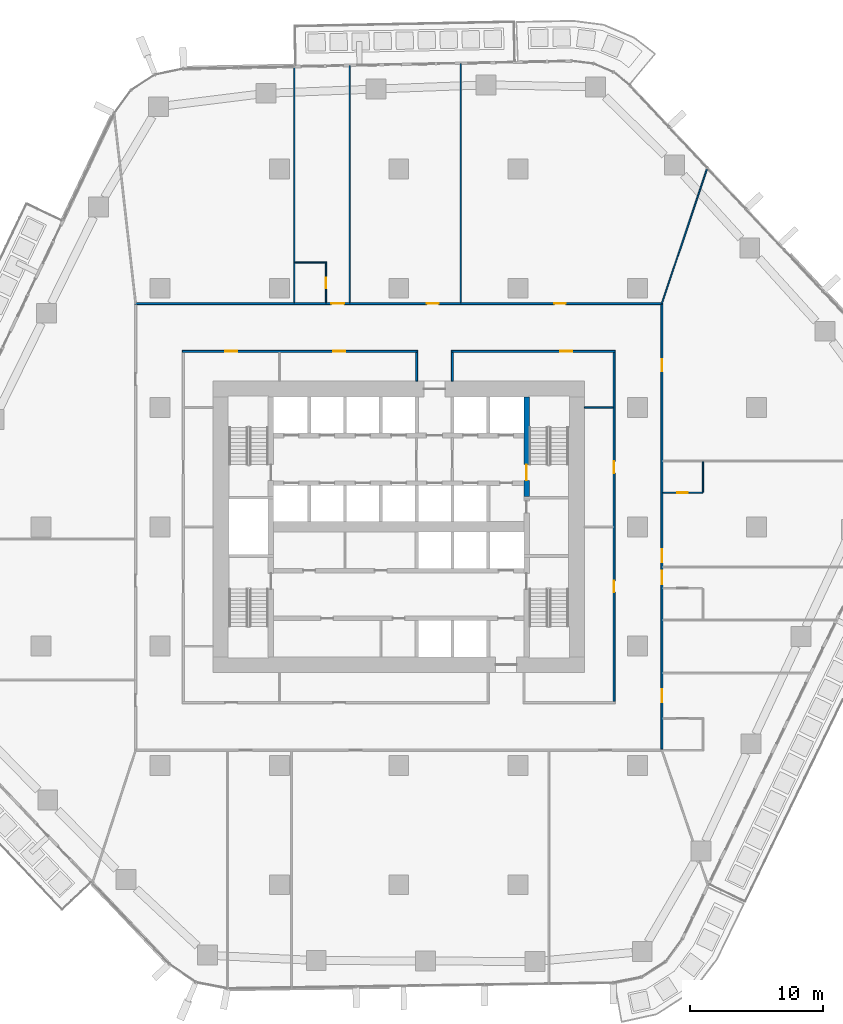
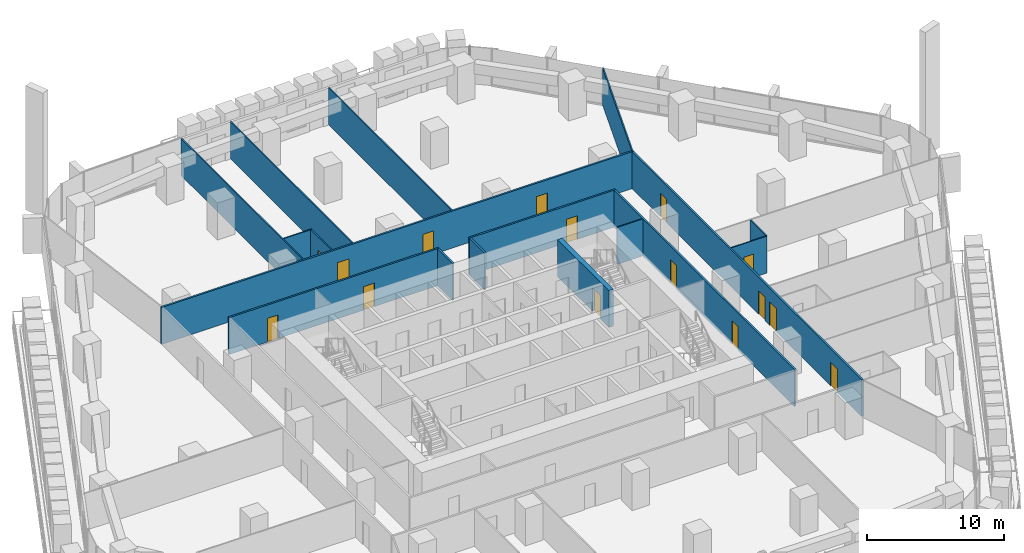
# One storey, part 15 of 24: 17 walls, 15 doors, 15 openings.
"""IFC4 building model written with IfcOpenShell, lengths in metres."""

from ifc_helpers import new_model, si_unit, direction, frame, frame_2d, origin, place, context, subcontext, project, spatial, rectangle, extrude, material, layer, layer_set, type_object, element, fill, save


model = new_model("IFC4")

# Units and contexts
model_context = context("Model", 3, precision=1e-05, world=origin(), true_north=direction((0.0, 1.0)))
body_context = subcontext(model_context, "Body", "Model", "MODEL_VIEW")
ifc_project = project(units=[si_unit("LENGTHUNIT", "METRE"), si_unit("AREAUNIT", "SQUARE_METRE"), si_unit("VOLUMEUNIT", "CUBIC_METRE"), si_unit("PLANEANGLEUNIT", "RADIAN"), si_unit("MASSUNIT", "GRAM", prefix="KILO")], contexts=[model_context])

# Site, building, storey
site_placement = place(None, origin())
site = spatial("IfcSite", under=ifc_project, at=site_placement, CompositionType="ELEMENT")
building_placement = place(site_placement, origin())
building = spatial("IfcBuilding", under=site, at=building_placement, Name="Dongbaek Canopy Tower", CompositionType="ELEMENT")
storey_placement = place(building_placement, frame((0.0, 0.0, 44.0)))
storey = spatial("IfcBuildingStorey", under=building, at=storey_placement, Name="L06", CompositionType="ELEMENT", Elevation=44.0)

# Wall, openings, doors
ifc_material_1 = material(Name="Gypsum board partition, steel stud, 2 x 15 mm fire board", Category="steel")
ifc_layer_1 = layer(ifc_material_1, 0.14990234375)
ifc_layer_set_1 = layer_set([ifc_layer_1], Name="Fire-rated partition 150 gypsum board")
wall_type_1 = type_object("IfcWallType", Name="Fire-rated partition 150 gypsum board", PredefinedType="PARTITIONING", material=ifc_layer_set_1)
wall_1_placement = place(storey_placement, frame((1.425048828125, 13.25, 0.0), z_axis=(0.0, 0.0, 1.0), x_axis=(-1.0, 0.0, 0.0)))
wall_1 = element("IfcWall", 1, at=wall_1_placement, inside=storey, type_object=wall_type_1, Name="Corridor partition", PredefinedType="PARTITIONING", context=body_context, shape_type="SweptSolid", body=[
    extrude(rectangle(XDim=17.75, YDim=0.14990234375, at=frame_2d((8.875, 0.0))), origin(), (0.0, 0.0, 1.0), 3.300048828125),
])
opening_1_placement = place(wall_1_placement, frame((5.47509765625, 0.0, 0.0)))
opening_1 = element("IfcOpeningElement", 2, at=opening_1_placement, cuts=wall_1, Name="Opening L06-D024", PredefinedType="OPENING", context=body_context, shape_type="SweptSolid", body=[
    extrude(rectangle(XDim=0.89990234375, YDim=2.10009765625, at=frame_2d((0.449951171875, 1.050048828125))), frame((0.0, 0.0849609375, 0.0), z_axis=(0.0, -1.0, 0.0), x_axis=(1.0, 0.0, 0.0)), (0.0, 0.0, 1.0), 0.169921875),
])
opening_2_placement = place(wall_1_placement, frame((13.60009765625, 0.0, 0.0)))
opening_2 = element("IfcOpeningElement", 3, at=opening_2_placement, cuts=wall_1, Name="Opening L06-D025", PredefinedType="OPENING", context=body_context, shape_type="SweptSolid", body=[
    extrude(rectangle(XDim=0.89990234375, YDim=2.10009765625, at=frame_2d((0.449951171875, 1.050048828125))), frame((0.0, 0.0849609375, 0.0), z_axis=(0.0, -1.0, 0.0), x_axis=(1.0, 0.0, 0.0)), (0.0, 0.0, 1.0), 0.169921875),
])
ifc_material_2 = material(Name="Timber veneered door leaf", Category="wood")
door_type_1 = type_object("IfcDoorType", Name="Room door 900 x 2100", OperationType="SINGLE_SWING_LEFT", PredefinedType="DOOR", material=ifc_material_2)
door_1_placement = place(opening_1_placement, origin())
door_1 = element("IfcDoor", 4, at=door_1_placement, inside=storey, type_object=door_type_1, Name="Door L06-D024", OperationType="SINGLE_SWING_RIGHT", OverallHeight=2.10009765625, OverallWidth=0.89990234375, PredefinedType="DOOR", context=body_context, shape_type="SweptSolid", body=[
    extrude(rectangle(XDim=0.89990234375, YDim=2.10009765625, at=frame_2d((0.449951171875, 1.050048828125))), frame((0.0, 0.02490234375, 0.0), z_axis=(0.0, -1.0, 0.0), x_axis=(1.0, 0.0, 0.0)), (0.0, 0.0, 1.0), 0.050048828125),
])
fill(opening_1, door_1)
door_2_placement = place(opening_2_placement, origin())
door_2 = element("IfcDoor", 5, at=door_2_placement, inside=storey, type_object=door_type_1, Name="Door L06-D025", OperationType="SINGLE_SWING_LEFT", OverallHeight=2.10009765625, OverallWidth=0.89990234375, PredefinedType="DOOR", context=body_context, shape_type="SweptSolid", body=[
    extrude(rectangle(XDim=0.89990234375, YDim=2.10009765625, at=frame_2d((0.449951171875, 1.050048828125))), frame((0.0, 0.02490234375, 0.0), z_axis=(0.0, -1.0, 0.0), x_axis=(1.0, 0.0, 0.0)), (0.0, 0.0, 1.0), 0.050048828125),
])
fill(opening_2, door_2)

# Wall, opening, door
wall_2_placement = place(storey_placement, frame((16.324951171875, 13.25, 0.0), z_axis=(0.0, 0.0, 1.0), x_axis=(-1.0, 0.0, 0.0)))
wall_2 = element("IfcWall", 6, at=wall_2_placement, inside=storey, type_object=wall_type_1, Name="Corridor partition", PredefinedType="PARTITIONING", context=body_context, shape_type="SweptSolid", body=[
    extrude(rectangle(XDim=12.349853515625, YDim=0.14990234375, at=frame_2d((6.1748046875, 0.0))), origin(), (0.0, 0.0, 1.0), 3.300048828125),
])
opening_3_placement = place(wall_2_placement, frame((3.25, 0.0, 0.0)))
opening_3 = element("IfcOpeningElement", 7, at=opening_3_placement, cuts=wall_2, Name="Opening L06-D023", PredefinedType="OPENING", context=body_context, shape_type="SweptSolid", body=[
    extrude(rectangle(XDim=0.89990234375, YDim=2.10009765625, at=frame_2d((0.449951171875, 1.050048828125))), frame((0.0, 0.0849609375, 0.0), z_axis=(0.0, -1.0, 0.0), x_axis=(1.0, 0.0, 0.0)), (0.0, 0.0, 1.0), 0.169921875),
])
door_3_placement = place(opening_3_placement, origin())
door_3 = element("IfcDoor", 8, at=door_3_placement, inside=storey, type_object=door_type_1, Name="Door L06-D023", OperationType="SINGLE_SWING_LEFT", OverallHeight=2.10009765625, OverallWidth=0.89990234375, PredefinedType="DOOR", context=body_context, shape_type="SweptSolid", body=[
    extrude(rectangle(XDim=0.89990234375, YDim=2.10009765625, at=frame_2d((0.449951171875, 1.050048828125))), frame((0.0, 0.02490234375, 0.0), z_axis=(0.0, -1.0, 0.0), x_axis=(1.0, 0.0, 0.0)), (0.0, 0.0, 1.0), 0.050048828125),
])
fill(opening_3, door_3)

# Wall, openings, doors
wall_3_placement = place(storey_placement, frame((-19.925048828125, 16.85009765625, 0.0), z_axis=(0.0, 0.0, 1.0), x_axis=(1.0, 0.0, 0.0)))
wall_3 = element("IfcWall", 9, at=wall_3_placement, inside=storey, type_object=wall_type_1, Name="Corridor partition", PredefinedType="PARTITIONING", context=body_context, shape_type="SweptSolid", body=[
    extrude(rectangle(XDim=39.85009765625, YDim=0.14990234375, at=frame_2d((19.925048828125, 0.0))), origin(), (0.0, 0.0, 1.0), 3.300048828125),
])
opening_4_placement = place(wall_3_placement, frame((31.642822265625, 0.0, 0.0)))
opening_4 = element("IfcOpeningElement", 10, at=opening_4_placement, cuts=wall_3, Name="Opening L06-D013", PredefinedType="OPENING", context=body_context, shape_type="SweptSolid", body=[
    extrude(rectangle(XDim=0.89990234375, YDim=2.10009765625, at=frame_2d((0.449951171875, 1.050048828125))), frame((0.0, 0.0849609375, 0.0), z_axis=(0.0, -1.0, 0.0), x_axis=(1.0, 0.0, 0.0)), (0.0, 0.0, 1.0), 0.169921875),
])
opening_5_placement = place(wall_3_placement, frame((22.0556640625, 0.0, 0.0)))
opening_5 = element("IfcOpeningElement", 11, at=opening_5_placement, cuts=wall_3, Name="Opening L06-D014", PredefinedType="OPENING", context=body_context, shape_type="SweptSolid", body=[
    extrude(rectangle(XDim=0.89990234375, YDim=2.10009765625, at=frame_2d((0.449951171875, 1.050048828125))), frame((0.0, 0.0849609375, 0.0), z_axis=(0.0, -1.0, 0.0), x_axis=(1.0, 0.0, 0.0)), (0.0, 0.0, 1.0), 0.169921875),
])
opening_6_placement = place(wall_3_placement, frame((14.8310546875, 0.0, 0.0)))
opening_6 = element("IfcOpeningElement", 12, at=opening_6_placement, cuts=wall_3, Name="Opening L06-D016", PredefinedType="OPENING", context=body_context, shape_type="SweptSolid", body=[
    extrude(rectangle(XDim=1.0, YDim=2.10009765625, at=frame_2d((0.5, 1.050048828125))), frame((0.0, 0.0849609375, 0.0), z_axis=(0.0, -1.0, 0.0), x_axis=(1.0, 0.0, 0.0)), (0.0, 0.0, 1.0), 0.169921875),
])
ifc_material_3 = material(Name="Timber veneered door leaf", Category="wood")
door_type_2 = type_object("IfcDoorType", Name="Guest room door 1000 x 2100", OperationType="SINGLE_SWING_LEFT", PredefinedType="DOOR", material=ifc_material_3)
door_4_placement = place(opening_6_placement, origin())
door_4 = element("IfcDoor", 13, at=door_4_placement, inside=storey, type_object=door_type_2, Name="Door L06-D016", OperationType="SINGLE_SWING_LEFT", OverallHeight=2.10009765625, OverallWidth=1.0, PredefinedType="DOOR", context=body_context, shape_type="SweptSolid", body=[
    extrude(rectangle(XDim=1.0, YDim=2.10009765625, at=frame_2d((0.5, 1.050048828125))), frame((0.0, 0.02490234375, 0.0), z_axis=(0.0, -1.0, 0.0), x_axis=(1.0, 0.0, 0.0)), (0.0, 0.0, 1.0), 0.050048828125),
])
fill(opening_6, door_4)
door_5_placement = place(opening_4_placement, origin())
door_5 = element("IfcDoor", 14, at=door_5_placement, inside=storey, type_object=door_type_1, Name="Door L06-D013", OperationType="SINGLE_SWING_LEFT", OverallHeight=2.10009765625, OverallWidth=0.89990234375, PredefinedType="DOOR", context=body_context, shape_type="SweptSolid", body=[
    extrude(rectangle(XDim=0.89990234375, YDim=2.10009765625, at=frame_2d((0.449951171875, 1.050048828125))), frame((0.0, 0.02490234375, 0.0), z_axis=(0.0, -1.0, 0.0), x_axis=(1.0, 0.0, 0.0)), (0.0, 0.0, 1.0), 0.050048828125),
])
fill(opening_4, door_5)
door_6_placement = place(opening_5_placement, origin())
door_6 = element("IfcDoor", 15, at=door_6_placement, inside=storey, type_object=door_type_1, Name="Door L06-D014", OperationType="SINGLE_SWING_RIGHT", OverallHeight=2.10009765625, OverallWidth=0.89990234375, PredefinedType="DOOR", context=body_context, shape_type="SweptSolid", body=[
    extrude(rectangle(XDim=0.89990234375, YDim=2.10009765625, at=frame_2d((0.449951171875, 1.050048828125))), frame((0.0, 0.02490234375, 0.0), z_axis=(0.0, -1.0, 0.0), x_axis=(1.0, 0.0, 0.0)), (0.0, 0.0, 1.0), 0.050048828125),
])
fill(opening_5, door_6)

wall_4_placement = place(storey_placement, frame((19.85009765625, 16.77490234375, 0.0), z_axis=(0.0, 0.0, 1.0), x_axis=(0.0, -1.0, 0.0)))
wall_4 = element("IfcWall", 16, at=wall_4_placement, inside=storey, type_object=wall_type_1, Name="Corridor partition", PredefinedType="PARTITIONING", context=body_context, shape_type="SweptSolid", body=[
    extrude(rectangle(XDim=33.5498046875, YDim=0.14990234375, at=frame_2d((16.77490234375, 0.0))), origin(), (0.0, 0.0, 1.0), 3.300048828125),
])
opening_7_placement = place(wall_4_placement, frame((29.01611328125, 0.0, 0.0)))
opening_7 = element("IfcOpeningElement", 17, at=opening_7_placement, cuts=wall_4, Name="Opening L06-D007", PredefinedType="OPENING", context=body_context, shape_type="SweptSolid", body=[
    extrude(rectangle(XDim=1.0, YDim=2.10009765625, at=frame_2d((0.5, 1.050048828125))), frame((0.0, 0.0849609375, 0.0), z_axis=(0.0, -1.0, 0.0), x_axis=(1.0, 0.0, 0.0)), (0.0, 0.0, 1.0), 0.169921875),
])
opening_8_placement = place(wall_4_placement, frame((20.100341796875, 0.0, 0.0)))
opening_8 = element("IfcOpeningElement", 18, at=opening_8_placement, cuts=wall_4, Name="Opening L06-D009", PredefinedType="OPENING", context=body_context, shape_type="SweptSolid", body=[
    extrude(rectangle(XDim=1.0, YDim=2.10009765625, at=frame_2d((0.5, 1.050048828125))), frame((0.0, 0.0849609375, 0.0), z_axis=(0.0, -1.0, 0.0), x_axis=(1.0, 0.0, 0.0)), (0.0, 0.0, 1.0), 0.169921875),
])
opening_9_placement = place(wall_4_placement, frame((18.445556640625, 0.0, 0.0)))
opening_9 = element("IfcOpeningElement", 19, at=opening_9_placement, cuts=wall_4, Name="Opening L06-D011", PredefinedType="OPENING", context=body_context, shape_type="SweptSolid", body=[
    extrude(rectangle(XDim=1.0, YDim=2.10009765625, at=frame_2d((0.5, 1.050048828125))), frame((0.0, 0.0849609375, 0.0), z_axis=(0.0, -1.0, 0.0), x_axis=(1.0, 0.0, 0.0)), (0.0, 0.0, 1.0), 0.169921875),
])
opening_10_placement = place(wall_4_placement, frame((4.142822265625, 0.0, 0.0)))
opening_10 = element("IfcOpeningElement", 20, at=opening_10_placement, cuts=wall_4, Name="Opening L06-D012", PredefinedType="OPENING", context=body_context, shape_type="SweptSolid", body=[
    extrude(rectangle(XDim=0.89990234375, YDim=2.10009765625, at=frame_2d((0.449951171875, 1.050048828125))), frame((0.0, 0.0849609375, 0.0), z_axis=(0.0, -1.0, 0.0), x_axis=(1.0, 0.0, 0.0)), (0.0, 0.0, 1.0), 0.169921875),
])
door_7_placement = place(opening_7_placement, origin())
door_7 = element("IfcDoor", 21, at=door_7_placement, inside=storey, type_object=door_type_2, Name="Door L06-D007", OperationType="SINGLE_SWING_RIGHT", OverallHeight=2.10009765625, OverallWidth=1.0, PredefinedType="DOOR", context=body_context, shape_type="SweptSolid", body=[
    extrude(rectangle(XDim=1.0, YDim=2.10009765625, at=frame_2d((0.5, 1.050048828125))), frame((0.0, 0.02490234375, 0.0), z_axis=(0.0, -1.0, 0.0), x_axis=(1.0, 0.0, 0.0)), (0.0, 0.0, 1.0), 0.050048828125),
])
fill(opening_7, door_7)
door_8_placement = place(opening_8_placement, origin())
door_8 = element("IfcDoor", 22, at=door_8_placement, inside=storey, type_object=door_type_2, Name="Door L06-D009", OperationType="SINGLE_SWING_RIGHT", OverallHeight=2.10009765625, OverallWidth=1.0, PredefinedType="DOOR", context=body_context, shape_type="SweptSolid", body=[
    extrude(rectangle(XDim=1.0, YDim=2.10009765625, at=frame_2d((0.5, 1.050048828125))), frame((0.0, 0.02490234375, 0.0), z_axis=(0.0, -1.0, 0.0), x_axis=(1.0, 0.0, 0.0)), (0.0, 0.0, 1.0), 0.050048828125),
])
fill(opening_8, door_8)
door_9_placement = place(opening_9_placement, origin())
door_9 = element("IfcDoor", 23, at=door_9_placement, inside=storey, type_object=door_type_2, Name="Door L06-D011", OperationType="SINGLE_SWING_LEFT", OverallHeight=2.10009765625, OverallWidth=1.0, PredefinedType="DOOR", context=body_context, shape_type="SweptSolid", body=[
    extrude(rectangle(XDim=1.0, YDim=2.10009765625, at=frame_2d((0.5, 1.050048828125))), frame((0.0, 0.02490234375, 0.0), z_axis=(0.0, -1.0, 0.0), x_axis=(1.0, 0.0, 0.0)), (0.0, 0.0, 1.0), 0.050048828125),
])
fill(opening_9, door_9)
door_10_placement = place(opening_10_placement, origin())
door_10 = element("IfcDoor", 24, at=door_10_placement, inside=storey, type_object=door_type_1, Name="Door L06-D012", OperationType="SINGLE_SWING_RIGHT", OverallHeight=2.10009765625, OverallWidth=0.89990234375, PredefinedType="DOOR", context=body_context, shape_type="SweptSolid", body=[
    extrude(rectangle(XDim=0.89990234375, YDim=2.10009765625, at=frame_2d((0.449951171875, 1.050048828125))), frame((0.0, 0.02490234375, 0.0), z_axis=(0.0, -1.0, 0.0), x_axis=(1.0, 0.0, 0.0)), (0.0, 0.0, 1.0), 0.050048828125),
])
fill(opening_10, door_10)

wall_5_placement = place(storey_placement, frame((16.25, -13.175048828125, 0.0), z_axis=(0.0, 0.0, 1.0), x_axis=(0.0, 1.0, 0.0)))
wall_5 = element("IfcWall", 25, at=wall_5_placement, inside=storey, type_object=wall_type_1, Name="Corridor partition", PredefinedType="PARTITIONING", context=body_context, shape_type="SweptSolid", body=[
    extrude(rectangle(XDim=26.35009765625, YDim=0.14990234375, at=frame_2d((13.175048828125, 0.0))), origin(), (0.0, 0.0, 1.0), 3.300048828125),
])
opening_11_placement = place(wall_5_placement, frame((8.22509765625, 0.0, 0.0)))
opening_11 = element("IfcOpeningElement", 26, at=opening_11_placement, cuts=wall_5, Name="Opening L06-D021", PredefinedType="OPENING", context=body_context, shape_type="SweptSolid", body=[
    extrude(rectangle(XDim=0.89990234375, YDim=2.10009765625, at=frame_2d((0.449951171875, 1.050048828125))), frame((0.0, 0.0849609375, 0.0), z_axis=(0.0, -1.0, 0.0), x_axis=(1.0, 0.0, 0.0)), (0.0, 0.0, 1.0), 0.169921875),
])
opening_12_placement = place(wall_5_placement, frame((17.22509765625, 0.0, 0.0)))
opening_12 = element("IfcOpeningElement", 27, at=opening_12_placement, cuts=wall_5, Name="Opening L06-D022", PredefinedType="OPENING", context=body_context, shape_type="SweptSolid", body=[
    extrude(rectangle(XDim=0.89990234375, YDim=2.10009765625, at=frame_2d((0.449951171875, 1.050048828125))), frame((0.0, 0.0849609375, 0.0), z_axis=(0.0, -1.0, 0.0), x_axis=(1.0, 0.0, 0.0)), (0.0, 0.0, 1.0), 0.169921875),
])
door_11_placement = place(opening_11_placement, origin())
door_11 = element("IfcDoor", 28, at=door_11_placement, inside=storey, type_object=door_type_1, Name="Door L06-D021", OperationType="SINGLE_SWING_LEFT", OverallHeight=2.10009765625, OverallWidth=0.89990234375, PredefinedType="DOOR", context=body_context, shape_type="SweptSolid", body=[
    extrude(rectangle(XDim=0.89990234375, YDim=2.10009765625, at=frame_2d((0.449951171875, 1.050048828125))), frame((0.0, 0.02490234375, 0.0), z_axis=(0.0, -1.0, 0.0), x_axis=(1.0, 0.0, 0.0)), (0.0, 0.0, 1.0), 0.050048828125),
])
fill(opening_11, door_11)
door_12_placement = place(opening_12_placement, origin())
door_12 = element("IfcDoor", 29, at=door_12_placement, inside=storey, type_object=door_type_1, Name="Door L06-D022", OperationType="SINGLE_SWING_RIGHT", OverallHeight=2.10009765625, OverallWidth=0.89990234375, PredefinedType="DOOR", context=body_context, shape_type="SweptSolid", body=[
    extrude(rectangle(XDim=0.89990234375, YDim=2.10009765625, at=frame_2d((0.449951171875, 1.050048828125))), frame((0.0, 0.02490234375, 0.0), z_axis=(0.0, -1.0, 0.0), x_axis=(1.0, 0.0, 0.0)), (0.0, 0.0, 1.0), 0.050048828125),
])
fill(opening_12, door_12)

# Walls
for number, where, z_axis, x_axis, name in (
    (30, (4.050048828125, 11.0, 0.0), (0.0, 0.0, 1.0), (0.0, 1.0, 0.0), "Corridor partition"),
    (31, (1.35009765625, 11.0, 0.0), (0.0, 0.0, 1.0), (0.0, 1.0, 0.0), "Corridor partition"),
):
    element("IfcWall", number, at=place(storey_placement, frame(where, z_axis=z_axis, x_axis=x_axis)), inside=storey, type_object=wall_type_1, Name=name, PredefinedType="PARTITIONING", context=body_context, shape_type="SweptSolid", body=[
        extrude(rectangle(XDim=2.175048828125, YDim=0.14990234375, at=frame_2d((1.08740234375, 0.0))), origin(), (0.0, 0.0, 1.0), 3.300048828125),
    ])

# Wall, opening, door
ifc_material_4 = material(Name="Gypsum board partition, steel stud, 2 x 12.5 mm board", Category="steel")
ifc_layer_2 = layer(ifc_material_4, 0.10009765625)
ifc_layer_set_2 = layer_set([ifc_layer_2], Name="Partition 100 gypsum board")
wall_type_2 = type_object("IfcWallType", Name="Partition 100 gypsum board", PredefinedType="PARTITIONING", material=ifc_layer_set_2)
wall_6_placement = place(storey_placement, frame((19.925048828125, 2.576904296875, 0.0), z_axis=(0.0, 0.0, 1.0), x_axis=(1.0, 0.0, 0.0)))
wall_6 = element("IfcWall", 32, at=wall_6_placement, inside=storey, type_object=wall_type_2, Name="Partition", PredefinedType="PARTITIONING", context=body_context, shape_type="SweptSolid", body=[
    extrude(rectangle(XDim=3.02490234375, YDim=0.10009765625, at=frame_2d((1.512451171875, 0.0))), origin(), (0.0, 0.0, 1.0), 3.300048828125),
])
opening_13_placement = place(wall_6_placement, frame((1.074951171875, 0.0, 0.0)))
opening_13 = element("IfcOpeningElement", 33, at=opening_13_placement, cuts=wall_6, Name="Opening L06-D010", PredefinedType="OPENING", context=body_context, shape_type="SweptSolid", body=[
    extrude(rectangle(XDim=0.800048828125, YDim=2.10009765625, at=frame_2d((0.39990234375, 1.050048828125))), frame((0.0, 0.06005859375, 0.0), z_axis=(0.0, -1.0, 0.0), x_axis=(1.0, 0.0, 0.0)), (0.0, 0.0, 1.0), 0.1201171875),
])
ifc_material_5 = material(Name="Timber veneered door leaf", Category="wood")
door_type_3 = type_object("IfcDoorType", Name="En-suite door 800 x 2100", OperationType="SINGLE_SWING_LEFT", PredefinedType="DOOR", material=ifc_material_5)
door_13_placement = place(opening_13_placement, origin())
door_13 = element("IfcDoor", 34, at=door_13_placement, inside=storey, type_object=door_type_3, Name="Door L06-D010", OperationType="SINGLE_SWING_RIGHT", OverallHeight=2.10009765625, OverallWidth=0.800048828125, PredefinedType="DOOR", context=body_context, shape_type="SweptSolid", body=[
    extrude(rectangle(XDim=0.800048828125, YDim=2.10009765625, at=frame_2d((0.39990234375, 1.050048828125))), frame((0.0, 0.02490234375, 0.0), z_axis=(0.0, -1.0, 0.0), x_axis=(1.0, 0.0, 0.0)), (0.0, 0.0, 1.0), 0.050048828125),
])
fill(opening_13, door_13)

# Walls
wall_7_placement = place(storey_placement, frame((14.0, 9.0, 0.0), z_axis=(0.0, 0.0, 1.0), x_axis=(1.0, 0.0, 0.0)))
element("IfcWall", 35, at=wall_7_placement, inside=storey, type_object=wall_type_2, Name="Partition", PredefinedType="PARTITIONING", context=body_context, shape_type="SweptSolid", body=[
    extrude(rectangle(XDim=2.175048828125, YDim=0.10009765625, at=frame_2d((1.08740234375, 0.0))), origin(), (0.0, 0.0, 1.0), 3.300048828125),
])
wall_8_placement = place(storey_placement, frame((-7.837646484375, 19.949951171875, 0.0), z_axis=(0.0, 0.0, 1.0), x_axis=(1.0, 0.0, 0.0)))
element("IfcWall", 36, at=wall_8_placement, inside=storey, type_object=wall_type_2, Name="Partition", PredefinedType="PARTITIONING", context=body_context, shape_type="SweptSolid", body=[
    extrude(rectangle(XDim=2.400146484375, YDim=0.10009765625, at=frame_2d((1.2001953125, 0.0))), origin(), (0.0, 0.0, 1.0), 3.300048828125),
])
wall_9_placement = place(storey_placement, frame((19.849853515625, 16.85009765625, 0.0), z_axis=(0.0, 0.0, 1.0), x_axis=(0.317967659794, 0.948101559605, 0.0)))
element("IfcWall", 37, at=wall_9_placement, inside=storey, type_object=wall_type_2, Name="Partition", PredefinedType="PARTITIONING", context=body_context, shape_type="SweptSolid", body=[
    extrude(rectangle(XDim=10.773193359375, YDim=0.10009765625, at=frame_2d((5.38671875, 0.0))), origin(), (0.0, 0.0, 1.0), 3.300048828125),
])
wall_10_placement = place(storey_placement, frame((22.949951171875, 2.627197265625, 0.0), z_axis=(0.0, 0.0, 1.0), x_axis=(0.0, 1.0, 0.0)))
element("IfcWall", 38, at=wall_10_placement, inside=storey, type_object=wall_type_2, Name="Partition", PredefinedType="PARTITIONING", context=body_context, shape_type="SweptSolid", body=[
    extrude(rectangle(XDim=2.2998046875, YDim=0.10009765625, at=frame_2d((1.14990234375, 0.0))), origin(), (0.0, 0.0, 1.0), 3.300048828125),
])
wall_11_placement = place(storey_placement, frame((4.674072265625, 16.925048828125, 0.0), z_axis=(0.0, 0.0, 1.0), x_axis=(0.0, 1.0, 0.0)))
element("IfcWall", 39, at=wall_11_placement, inside=storey, type_object=wall_type_2, Name="Partition", PredefinedType="PARTITIONING", context=body_context, shape_type="SweptSolid", body=[
    extrude(rectangle(XDim=18.0341796875, YDim=0.10009765625, at=frame_2d((9.01708984375, 0.0))), origin(), (0.0, 0.0, 1.0), 3.300048828125),
])
wall_12_placement = place(storey_placement, frame((-3.699951171875, 16.925048828125, 0.0), z_axis=(0.0, 0.0, 1.0), x_axis=(0.0, 1.0, 0.0)))
element("IfcWall", 40, at=wall_12_placement, inside=storey, type_object=wall_type_2, Name="Partition", PredefinedType="PARTITIONING", context=body_context, shape_type="SweptSolid", body=[
    extrude(rectangle(XDim=17.867431640625, YDim=0.10009765625, at=frame_2d((8.93359375, 0.0))), origin(), (0.0, 0.0, 1.0), 3.300048828125),
])

# Wall, opening, door
wall_13_placement = place(storey_placement, frame((-5.488037109375, 16.925048828125, 0.0), z_axis=(0.0, 0.0, 1.0), x_axis=(0.0, 1.0, 0.0)))
wall_13 = element("IfcWall", 41, at=wall_13_placement, inside=storey, type_object=wall_type_2, Name="Partition", PredefinedType="PARTITIONING", context=body_context, shape_type="SweptSolid", body=[
    extrude(rectangle(XDim=2.974853515625, YDim=0.10009765625, at=frame_2d((1.4873046875, 0.0))), origin(), (0.0, 0.0, 1.0), 3.300048828125),
])
opening_14_placement = place(wall_13_placement, frame((1.074951171875, 0.0, 0.0)))
opening_14 = element("IfcOpeningElement", 42, at=opening_14_placement, cuts=wall_13, Name="Opening L06-D015", PredefinedType="OPENING", context=body_context, shape_type="SweptSolid", body=[
    extrude(rectangle(XDim=0.800048828125, YDim=2.10009765625, at=frame_2d((0.39990234375, 1.050048828125))), frame((0.0, 0.06005859375, 0.0), z_axis=(0.0, -1.0, 0.0), x_axis=(1.0, 0.0, 0.0)), (0.0, 0.0, 1.0), 0.1201171875),
])
door_14_placement = place(opening_14_placement, origin())
door_14 = element("IfcDoor", 43, at=door_14_placement, inside=storey, type_object=door_type_3, Name="Door L06-D015", OperationType="SINGLE_SWING_RIGHT", OverallHeight=2.10009765625, OverallWidth=0.800048828125, PredefinedType="DOOR", context=body_context, shape_type="SweptSolid", body=[
    extrude(rectangle(XDim=0.800048828125, YDim=2.10009765625, at=frame_2d((0.39990234375, 1.050048828125))), frame((0.0, 0.02490234375, 0.0), z_axis=(0.0, -1.0, 0.0), x_axis=(1.0, 0.0, 0.0)), (0.0, 0.0, 1.0), 0.050048828125),
])
fill(opening_14, door_14)

# Wall
wall_14_placement = place(storey_placement, frame((-7.887939453125, 16.925048828125, 0.0), z_axis=(0.0, 0.0, 1.0), x_axis=(0.0, 1.0, 0.0)))
element("IfcWall", 44, at=wall_14_placement, inside=storey, type_object=wall_type_2, Name="Partition", PredefinedType="PARTITIONING", context=body_context, shape_type="SweptSolid", body=[
    extrude(rectangle(XDim=17.783935546875, YDim=0.10009765625, at=frame_2d((8.89208984375, 0.0))), origin(), (0.0, 0.0, 1.0), 3.300048828125),
])

# Wall, opening, door
ifc_material_6 = material(Name="Concrete C60/75", Category="concrete")
ifc_layer_3 = layer(ifc_material_6, 0.39990234375)
ifc_layer_set_3 = layer_set([ifc_layer_3], Name="Stair wall 400 Concrete C60/75")
wall_type_3 = type_object("IfcWallType", Name="Stair wall 400 Concrete C60/75", PredefinedType="SHEAR", material=ifc_layer_set_3)
wall_15_placement = place(storey_placement, frame((9.64990234375, 9.800048828125, 0.0), z_axis=(0.0, 0.0, 1.0), x_axis=(0.0, -1.0, 0.0)))
wall_15 = element("IfcWall", 45, at=wall_15_placement, inside=storey, type_object=wall_type_3, Name="Stair wall", PredefinedType="SHEAR", context=body_context, shape_type="SweptSolid", body=[
    extrude(rectangle(XDim=7.5, YDim=0.39990234375, at=frame_2d((3.75, 0.0))), origin(), (0.0, 0.0, 1.0), 3.300048828125),
])
opening_15_placement = place(wall_15_placement, frame((5.10009765625, 0.0, 0.0)))
opening_15 = element("IfcOpeningElement", 46, at=opening_15_placement, cuts=wall_15, Name="Opening L06-D050", PredefinedType="OPENING", context=body_context, shape_type="SweptSolid", body=[
    extrude(rectangle(XDim=1.199951171875, YDim=2.10009765625, at=frame_2d((0.60009765625, 1.050048828125))), frame((0.0, 0.2099609375, 0.0), z_axis=(0.0, -1.0, 0.0), x_axis=(1.0, 0.0, 0.0)), (0.0, 0.0, 1.0), 0.419921875),
])
ifc_material_7 = material(Name="Steel", Category="steel")
door_type_4 = type_object("IfcDoorType", Name="Stair door 1200 x 2100", OperationType="SINGLE_SWING_LEFT", PredefinedType="DOOR", material=ifc_material_7)
door_15_placement = place(opening_15_placement, origin())
door_15 = element("IfcDoor", 47, at=door_15_placement, inside=storey, type_object=door_type_4, Name="Stair A door", OperationType="SINGLE_SWING_LEFT", OverallHeight=2.10009765625, OverallWidth=1.199951171875, PredefinedType="DOOR", context=body_context, shape_type="SweptSolid", body=[
    extrude(rectangle(XDim=1.199951171875, YDim=2.10009765625, at=frame_2d((0.60009765625, 1.050048828125))), frame((0.0, 0.02490234375, 0.0), z_axis=(0.0, -1.0, 0.0), x_axis=(1.0, 0.0, 0.0)), (0.0, 0.0, 1.0), 0.050048828125),
])
fill(opening_15, door_15)

save(model, "model.ifc")
